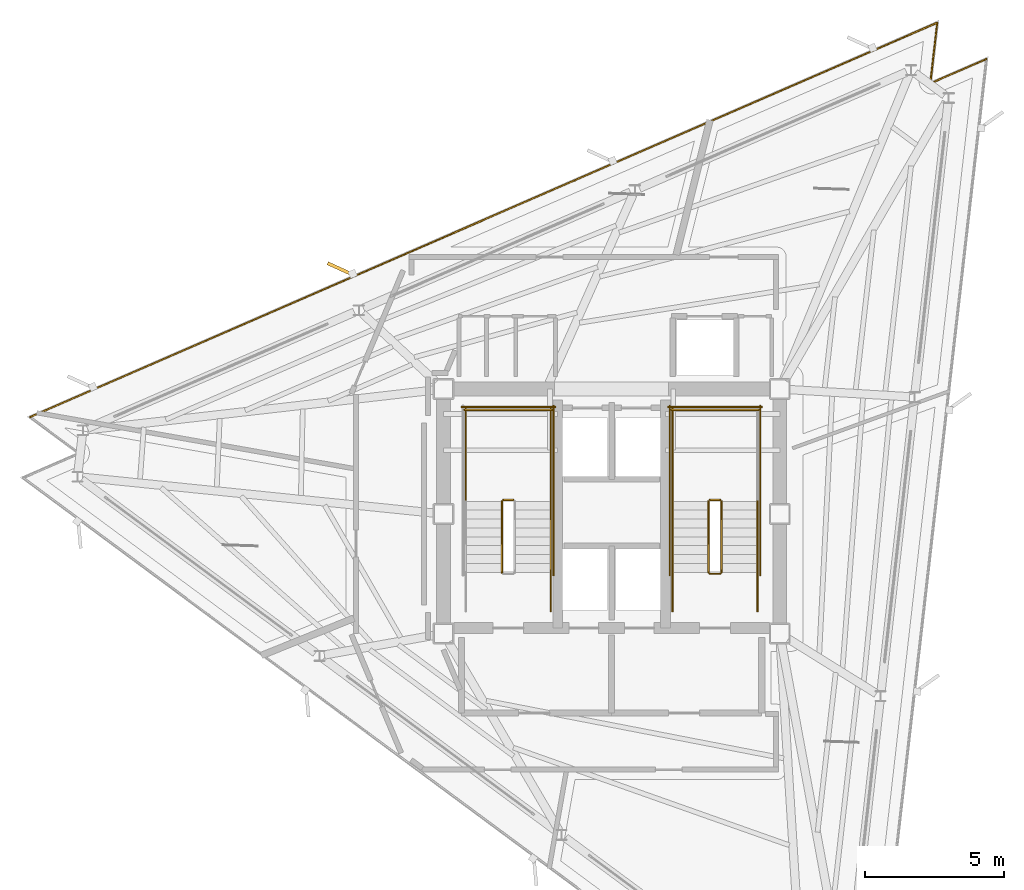
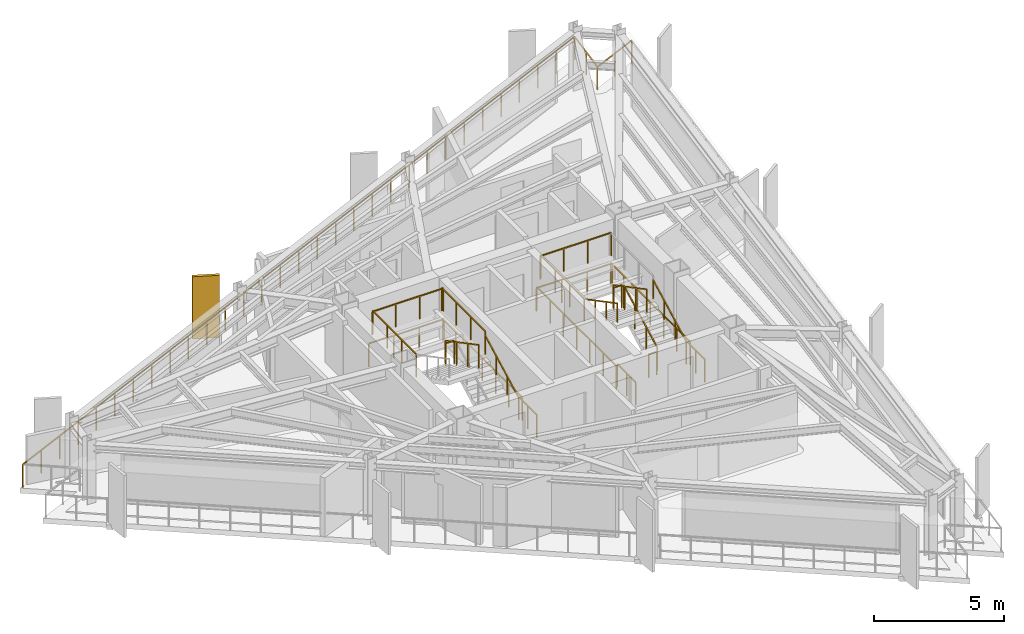
# One storey, part 9 of 10: 23 railings, 1 shading device.
"""IFC4 building model written with IfcOpenShell, lengths in metres."""

from ifc_helpers import new_model, si_unit, direction, frame, origin, origin_2d, place, context, subcontext, project, spatial, rectangle, extrude, material, layer, layer_set, type_object, element, save


model = new_model("IFC4")

# Units and contexts
model_context = context("Model", 3, precision=1e-05, world=origin(), true_north=direction((0.0, 1.0)))
body_context = subcontext(model_context, "Body", "Model", "MODEL_VIEW")
ifc_project = project(units=[si_unit("LENGTHUNIT", "METRE"), si_unit("AREAUNIT", "SQUARE_METRE"), si_unit("VOLUMEUNIT", "CUBIC_METRE"), si_unit("PLANEANGLEUNIT", "RADIAN"), si_unit("MASSUNIT", "GRAM", prefix="KILO")], contexts=[model_context])

# Site, building, storey
site_placement = place(None, origin())
site = spatial("IfcSite", under=ifc_project, at=site_placement, CompositionType="ELEMENT")
building_placement = place(site_placement, origin())
building = spatial("IfcBuilding", under=site, at=building_placement, Name="Rocaltana Carrier Exchange", CompositionType="ELEMENT")
storey_placement = place(building_placement, frame((0.0, 0.0, 217.919921875)))
storey = spatial("IfcBuildingStorey", under=building, at=storey_placement, Name="L69", CompositionType="ELEMENT", Elevation=217.919921875)

# Railings
ifc_material_1 = material(Name="Brushed Architectural Stainless Tube", Category="steel")
ifc_layer_1 = layer(ifc_material_1, 0.048095703125)
ifc_layer_set_1 = layer_set([ifc_layer_1], Name="Brushed Architectural Stainless Tube")
railing_type_1 = type_object("IfcRailingType", Name="Stair Wall Handrail 920", PredefinedType="HANDRAIL", material=ifc_layer_set_1)
for number, where, name in (
    (1, (-2.18994140625, -2.10009765625, 0.1689453125), "L69 ST-1 stair handrail 1"),
    (2, (5.25, -2.10009765625, 0.1689453125), "L69 ST-2 stair handrail 1"),
):
    element("IfcRailing", number, at=place(storey_placement, frame(where)), inside=storey, type_object=railing_type_1, Name=name, PredefinedType="HANDRAIL", context=body_context, shape_type="SweptSolid", body=[
        extrude(rectangle(XDim=0.048095703125, YDim=0.048095703125, at=origin_2d()), frame((0.0, 0.0, 0.8759765625), z_axis=(0.0, 0.884394423565, 0.466740295633), x_axis=(-1.0, 0.0, 0.0)), (0.0, 0.0, 1.0), 2.894775390625),
        extrude(rectangle(XDim=0.0419921875, YDim=0.0419921875, at=origin_2d()), origin(), (0.0, 0.0, 1.0), 0.851806640625),
        extrude(rectangle(XDim=0.0419921875, YDim=0.0419921875, at=origin_2d()), frame((0.0, 0.853271484375, 0.450439453125)), (0.0, 0.0, 1.0), 0.851806640625),
        extrude(rectangle(XDim=0.0419921875, YDim=0.0419921875, at=origin_2d()), frame((0.0, 1.706787109375, 0.900634765625)), (0.0, 0.0, 1.0), 0.851806640625),
        extrude(rectangle(XDim=0.0419921875, YDim=0.0419921875, at=origin_2d()), frame((0.0, 2.56005859375, 1.35107421875)), (0.0, 0.0, 1.0), 0.851806640625),
    ])
railing_1_placement = place(storey_placement, frame((2.18994140625, 0.4599609375, 1.68896484375)))
element("IfcRailing", 3, at=railing_1_placement, inside=storey, type_object=railing_type_1, Name="L69 ST-2 stair handrail 2", PredefinedType="HANDRAIL", context=body_context, shape_type="SweptSolid", body=[
    extrude(rectangle(XDim=0.048095703125, YDim=0.048095703125, at=origin_2d()), frame((0.0, 0.0, 0.8759765625), z_axis=(0.0, -0.884394423565, 0.466740295633), x_axis=(1.0, 0.0, 0.0)), (0.0, 0.0, 1.0), 2.894775390625),
    extrude(rectangle(XDim=0.0419921875, YDim=0.0419921875, at=origin_2d()), origin(), (0.0, 0.0, 1.0), 0.851806640625),
    extrude(rectangle(XDim=0.0419921875, YDim=0.0419921875, at=origin_2d()), frame((0.0, -0.853271484375, 0.450439453125)), (0.0, 0.0, 1.0), 0.851806640625),
    extrude(rectangle(XDim=0.0419921875, YDim=0.0419921875, at=origin_2d()), frame((0.0, -1.706787109375, 0.900634765625)), (0.0, 0.0, 1.0), 0.851806640625),
    extrude(rectangle(XDim=0.0419921875, YDim=0.0419921875, at=origin_2d()), frame((0.0, -2.56005859375, 1.35107421875)), (0.0, 0.0, 1.0), 0.851806640625),
])
ifc_material_2 = material(Name="Powder-Coated Aluminium 6063-T6", Category="aluminium")
ifc_layer_2 = layer(ifc_material_2, 0.048095703125)
ifc_layer_set_2 = layer_set([ifc_layer_2], Name="Powder-Coated Aluminium 6063-T6")
railing_type_2 = type_object("IfcRailingType", Name="Stair Well Guardrail 1100", PredefinedType="GUARDRAIL", material=ifc_layer_set_2)
railing_2_placement = place(storey_placement, frame((-3.5400390625, 0.510009765625, 1.52001953125)))
element("IfcRailing", 4, at=railing_2_placement, inside=storey, type_object=railing_type_2, Name="L69 ST-1 stair guard 2", PredefinedType="GUARDRAIL", context=body_context, shape_type="SweptSolid", body=[
    extrude(rectangle(XDim=0.048095703125, YDim=0.048095703125, at=origin_2d()), frame((0.0, 0.0, 1.076171875), z_axis=(-1.0, 0.0, 0.0), x_axis=(0.0, -1.0, 0.0)), (0.0, 0.0, 1.0), 0.35986328125),
    extrude(rectangle(XDim=0.0419921875, YDim=0.0419921875, at=origin_2d()), origin(), (0.0, 0.0, 1.0), 1.052001953125),
    extrude(rectangle(XDim=0.0419921875, YDim=0.0419921875, at=origin_2d()), frame((-0.35986328125, 0.0, 0.0)), (0.0, 0.0, 1.0), 1.052001953125),
])
for number, where, name in (
    (5, (-2.18994140625, 0.4599609375, 1.52001953125), "L69 ST-1 stair guard 3"),
    (6, (-5.25, 0.4599609375, 1.52001953125), "L69 ST-1 stair guard 4"),
):
    element("IfcRailing", number, at=place(storey_placement, frame(where)), inside=storey, type_object=railing_type_2, Name=name, PredefinedType="GUARDRAIL", context=body_context, shape_type="SweptSolid", body=[
        extrude(rectangle(XDim=0.048095703125, YDim=0.048095703125, at=origin_2d()), frame((0.0, 0.0, 1.076171875), z_axis=(0.0, 1.0, 0.0), x_axis=(-1.0, 0.0, 0.0)), (0.0, 0.0, 1.0), 3.340087890625),
        extrude(rectangle(XDim=0.0419921875, YDim=0.0419921875, at=origin_2d()), origin(), (0.0, 0.0, 1.0), 1.052001953125),
        extrude(rectangle(XDim=0.0419921875, YDim=0.0419921875, at=origin_2d()), frame((0.0, 1.11328125, 0.0)), (0.0, 0.0, 1.0), 1.052001953125),
        extrude(rectangle(XDim=0.0419921875, YDim=0.0419921875, at=origin_2d()), frame((0.0, 2.226806640625, 0.0)), (0.0, 0.0, 1.0), 1.052001953125),
        extrude(rectangle(XDim=0.0419921875, YDim=0.0419921875, at=origin_2d()), frame((0.0, 3.340087890625, 0.0)), (0.0, 0.0, 1.0), 1.052001953125),
    ])
railing_3_placement = place(storey_placement, frame((-2.139892578125, 3.75, 1.52001953125)))
element("IfcRailing", 7, at=railing_3_placement, inside=storey, type_object=railing_type_2, Name="L69 ST-1 stair guard 5", PredefinedType="GUARDRAIL", context=body_context, shape_type="SweptSolid", body=[
    extrude(rectangle(XDim=0.048095703125, YDim=0.048095703125, at=origin_2d()), frame((0.0, 0.0, 1.076171875), z_axis=(-1.0, 0.0, 0.0), x_axis=(0.0, -1.0, 0.0)), (0.0, 0.0, 1.0), 3.16015625),
    extrude(rectangle(XDim=0.0419921875, YDim=0.0419921875, at=origin_2d()), origin(), (0.0, 0.0, 1.0), 1.052001953125),
    extrude(rectangle(XDim=0.0419921875, YDim=0.0419921875, at=origin_2d()), frame((-1.053466796875, 0.0, 0.0)), (0.0, 0.0, 1.0), 1.052001953125),
    extrude(rectangle(XDim=0.0419921875, YDim=0.0419921875, at=origin_2d()), frame((-2.106689453125, 0.0, 0.0)), (0.0, 0.0, 1.0), 1.052001953125),
    extrude(rectangle(XDim=0.0419921875, YDim=0.0419921875, at=origin_2d()), frame((-3.16015625, 0.0, 0.0)), (0.0, 0.0, 1.0), 1.052001953125),
])
railing_4_placement = place(storey_placement, frame((-3.949951171875, 0.4599609375, 1.68896484375)))
element("IfcRailing", 8, at=railing_4_placement, inside=storey, type_object=railing_type_2, Name="L69 ST-1 stair guard 6", PredefinedType="GUARDRAIL", context=body_context, shape_type="SweptSolid", body=[
    extrude(rectangle(XDim=0.048095703125, YDim=0.048095703125, at=origin_2d()), frame((0.0, 0.0, 1.076171875), z_axis=(0.0, -0.884394423565, 0.466740295633), x_axis=(1.0, 0.0, 0.0)), (0.0, 0.0, 1.0), 2.894775390625),
    extrude(rectangle(XDim=0.0419921875, YDim=0.0419921875, at=origin_2d()), origin(), (0.0, 0.0, 1.0), 1.052001953125),
    extrude(rectangle(XDim=0.0419921875, YDim=0.0419921875, at=origin_2d()), frame((0.0, -0.853271484375, 0.450439453125)), (0.0, 0.0, 1.0), 1.052001953125),
    extrude(rectangle(XDim=0.0419921875, YDim=0.0419921875, at=origin_2d()), frame((0.0, -1.706787109375, 0.900634765625)), (0.0, 0.0, 1.0), 1.052001953125),
    extrude(rectangle(XDim=0.0419921875, YDim=0.0419921875, at=origin_2d()), frame((0.0, -2.56005859375, 1.35107421875)), (0.0, 0.0, 1.0), 1.052001953125),
])
railing_5_placement = place(storey_placement, frame((-2.18994140625, -3.5, 0.0)))
element("IfcRailing", 9, at=railing_5_placement, inside=storey, type_object=railing_type_2, Name="L69 ST-1 stair guard 8", PredefinedType="GUARDRAIL", context=body_context, shape_type="SweptSolid", body=[
    extrude(rectangle(XDim=0.048095703125, YDim=0.048095703125, at=origin_2d()), frame((0.0, 0.0, 1.076171875), z_axis=(0.0, 1.0, 0.0), x_axis=(-1.0, 0.0, 0.0)), (0.0, 0.0, 1.0), 1.39990234375),
    extrude(rectangle(XDim=0.0419921875, YDim=0.0419921875, at=origin_2d()), origin(), (0.0, 0.0, 1.0), 1.052001953125),
    extrude(rectangle(XDim=0.0419921875, YDim=0.0419921875, at=origin_2d()), frame((0.0, 0.699951171875, 0.0)), (0.0, 0.0, 1.0), 1.052001953125),
    extrude(rectangle(XDim=0.0419921875, YDim=0.0419921875, at=origin_2d()), frame((0.0, 1.39990234375, 0.0)), (0.0, 0.0, 1.0), 1.052001953125),
])
railing_6_placement = place(storey_placement, frame((-2.090087890625, -2.199951171875, 0.0)))
element("IfcRailing", 10, at=railing_6_placement, inside=storey, type_object=railing_type_2, Name="L69 ST-1 stair guard 10", PredefinedType="GUARDRAIL", context=body_context, shape_type="SweptSolid", body=[
    extrude(rectangle(XDim=0.048095703125, YDim=0.048095703125, at=origin_2d()), frame((0.0, 0.0, 1.076171875), z_axis=(0.0, 1.0, 0.0), x_axis=(-1.0, 0.0, 0.0)), (0.0, 0.0, 1.0), 6.099853515625),
    extrude(rectangle(XDim=0.0419921875, YDim=0.0419921875, at=origin_2d()), origin(), (0.0, 0.0, 1.0), 1.052001953125),
    extrude(rectangle(XDim=0.0419921875, YDim=0.0419921875, at=origin_2d()), frame((0.0, 1.0166015625, 0.0)), (0.0, 0.0, 1.0), 1.052001953125),
    extrude(rectangle(XDim=0.0419921875, YDim=0.0419921875, at=origin_2d()), frame((0.0, 2.033203125, 0.0)), (0.0, 0.0, 1.0), 1.052001953125),
    extrude(rectangle(XDim=0.0419921875, YDim=0.0419921875, at=origin_2d()), frame((0.0, 3.0498046875, 0.0)), (0.0, 0.0, 1.0), 1.052001953125),
    extrude(rectangle(XDim=0.0419921875, YDim=0.0419921875, at=origin_2d()), frame((0.0, 4.066650390625, 0.0)), (0.0, 0.0, 1.0), 1.052001953125),
    extrude(rectangle(XDim=0.0419921875, YDim=0.0419921875, at=origin_2d()), frame((0.0, 5.083251953125, 0.0)), (0.0, 0.0, 1.0), 1.052001953125),
    extrude(rectangle(XDim=0.0419921875, YDim=0.0419921875, at=origin_2d()), frame((0.0, 6.099853515625, 0.0)), (0.0, 0.0, 1.0), 1.052001953125),
])
railing_7_placement = place(storey_placement, frame((-2.0400390625, 3.85009765625, 0.0)))
element("IfcRailing", 11, at=railing_7_placement, inside=storey, type_object=railing_type_2, Name="L69 ST-1 stair guard 12", PredefinedType="GUARDRAIL", context=body_context, shape_type="SweptSolid", body=[
    extrude(rectangle(XDim=0.048095703125, YDim=0.048095703125, at=origin_2d()), frame((0.0, 0.0, 1.076171875), z_axis=(-1.0, 0.0, 0.0), x_axis=(0.0, -1.0, 0.0)), (0.0, 0.0, 1.0), 3.35986328125),
    extrude(rectangle(XDim=0.0419921875, YDim=0.0419921875, at=origin_2d()), origin(), (0.0, 0.0, 1.0), 1.052001953125),
    extrude(rectangle(XDim=0.0419921875, YDim=0.0419921875, at=origin_2d()), frame((-1.119873046875, 0.0, 0.0)), (0.0, 0.0, 1.0), 1.052001953125),
    extrude(rectangle(XDim=0.0419921875, YDim=0.0419921875, at=origin_2d()), frame((-2.239990234375, 0.0, 0.0)), (0.0, 0.0, 1.0), 1.052001953125),
    extrude(rectangle(XDim=0.0419921875, YDim=0.0419921875, at=origin_2d()), frame((-3.35986328125, 0.0, 0.0)), (0.0, 0.0, 1.0), 1.052001953125),
])
railing_8_placement = place(storey_placement, frame((3.949951171875, -2.10009765625, 0.1689453125)))
element("IfcRailing", 12, at=railing_8_placement, inside=storey, type_object=railing_type_2, Name="L69 ST-2 stair guard 1", PredefinedType="GUARDRAIL", context=body_context, shape_type="SweptSolid", body=[
    extrude(rectangle(XDim=0.048095703125, YDim=0.048095703125, at=origin_2d()), frame((0.0, 0.0, 1.076171875), z_axis=(0.0, 0.884394423565, 0.466740295633), x_axis=(-1.0, 0.0, 0.0)), (0.0, 0.0, 1.0), 2.894775390625),
    extrude(rectangle(XDim=0.0419921875, YDim=0.0419921875, at=origin_2d()), origin(), (0.0, 0.0, 1.0), 1.052001953125),
    extrude(rectangle(XDim=0.0419921875, YDim=0.0419921875, at=origin_2d()), frame((0.0, 0.853271484375, 0.450439453125)), (0.0, 0.0, 1.0), 1.052001953125),
    extrude(rectangle(XDim=0.0419921875, YDim=0.0419921875, at=origin_2d()), frame((0.0, 1.706787109375, 0.900634765625)), (0.0, 0.0, 1.0), 1.052001953125),
    extrude(rectangle(XDim=0.0419921875, YDim=0.0419921875, at=origin_2d()), frame((0.0, 2.56005859375, 1.35107421875)), (0.0, 0.0, 1.0), 1.052001953125),
])
railing_9_placement = place(storey_placement, frame((3.89990234375, 0.510009765625, 1.52001953125)))
element("IfcRailing", 13, at=railing_9_placement, inside=storey, type_object=railing_type_2, Name="L69 ST-2 stair guard 2", PredefinedType="GUARDRAIL", context=body_context, shape_type="SweptSolid", body=[
    extrude(rectangle(XDim=0.048095703125, YDim=0.048095703125, at=origin_2d()), frame((0.0, 0.0, 1.076171875), z_axis=(-1.0, 0.0, 0.0), x_axis=(0.0, -1.0, 0.0)), (0.0, 0.0, 1.0), 0.35986328125),
    extrude(rectangle(XDim=0.0419921875, YDim=0.0419921875, at=origin_2d()), origin(), (0.0, 0.0, 1.0), 1.052001953125),
    extrude(rectangle(XDim=0.0419921875, YDim=0.0419921875, at=origin_2d()), frame((-0.35986328125, 0.0, 0.0)), (0.0, 0.0, 1.0), 1.052001953125),
])
railing_10_placement = place(storey_placement, frame((2.18994140625, 0.4599609375, 1.52001953125)))
element("IfcRailing", 14, at=railing_10_placement, inside=storey, type_object=railing_type_2, Name="L69 ST-2 stair guard 4", PredefinedType="GUARDRAIL", context=body_context, shape_type="SweptSolid", body=[
    extrude(rectangle(XDim=0.048095703125, YDim=0.048095703125, at=origin_2d()), frame((0.0, 0.0, 1.076171875), z_axis=(0.0, 1.0, 0.0), x_axis=(-1.0, 0.0, 0.0)), (0.0, 0.0, 1.0), 3.340087890625),
    extrude(rectangle(XDim=0.0419921875, YDim=0.0419921875, at=origin_2d()), origin(), (0.0, 0.0, 1.0), 1.052001953125),
    extrude(rectangle(XDim=0.0419921875, YDim=0.0419921875, at=origin_2d()), frame((0.0, 1.11328125, 0.0)), (0.0, 0.0, 1.0), 1.052001953125),
    extrude(rectangle(XDim=0.0419921875, YDim=0.0419921875, at=origin_2d()), frame((0.0, 2.226806640625, 0.0)), (0.0, 0.0, 1.0), 1.052001953125),
    extrude(rectangle(XDim=0.0419921875, YDim=0.0419921875, at=origin_2d()), frame((0.0, 3.340087890625, 0.0)), (0.0, 0.0, 1.0), 1.052001953125),
])
railing_11_placement = place(storey_placement, frame((5.300048828125, 3.75, 1.52001953125)))
element("IfcRailing", 15, at=railing_11_placement, inside=storey, type_object=railing_type_2, Name="L69 ST-2 stair guard 5", PredefinedType="GUARDRAIL", context=body_context, shape_type="SweptSolid", body=[
    extrude(rectangle(XDim=0.048095703125, YDim=0.048095703125, at=origin_2d()), frame((0.0, 0.0, 1.076171875), z_axis=(-1.0, 0.0, 0.0), x_axis=(0.0, -1.0, 0.0)), (0.0, 0.0, 1.0), 3.16015625),
    extrude(rectangle(XDim=0.0419921875, YDim=0.0419921875, at=origin_2d()), origin(), (0.0, 0.0, 1.0), 1.052001953125),
    extrude(rectangle(XDim=0.0419921875, YDim=0.0419921875, at=origin_2d()), frame((-1.053466796875, 0.0, 0.0)), (0.0, 0.0, 1.0), 1.052001953125),
    extrude(rectangle(XDim=0.0419921875, YDim=0.0419921875, at=origin_2d()), frame((-2.106689453125, 0.0, 0.0)), (0.0, 0.0, 1.0), 1.052001953125),
    extrude(rectangle(XDim=0.0419921875, YDim=0.0419921875, at=origin_2d()), frame((-3.16015625, 0.0, 0.0)), (0.0, 0.0, 1.0), 1.052001953125),
])
railing_12_placement = place(storey_placement, frame((3.489990234375, 0.4599609375, 1.68896484375)))
element("IfcRailing", 16, at=railing_12_placement, inside=storey, type_object=railing_type_2, Name="L69 ST-2 stair guard 6", PredefinedType="GUARDRAIL", context=body_context, shape_type="SweptSolid", body=[
    extrude(rectangle(XDim=0.048095703125, YDim=0.048095703125, at=origin_2d()), frame((0.0, 0.0, 1.076171875), z_axis=(0.0, -0.884394423565, 0.466740295633), x_axis=(1.0, 0.0, 0.0)), (0.0, 0.0, 1.0), 2.894775390625),
    extrude(rectangle(XDim=0.0419921875, YDim=0.0419921875, at=origin_2d()), origin(), (0.0, 0.0, 1.0), 1.052001953125),
    extrude(rectangle(XDim=0.0419921875, YDim=0.0419921875, at=origin_2d()), frame((0.0, -0.853271484375, 0.450439453125)), (0.0, 0.0, 1.0), 1.052001953125),
    extrude(rectangle(XDim=0.0419921875, YDim=0.0419921875, at=origin_2d()), frame((0.0, -1.706787109375, 0.900634765625)), (0.0, 0.0, 1.0), 1.052001953125),
    extrude(rectangle(XDim=0.0419921875, YDim=0.0419921875, at=origin_2d()), frame((0.0, -2.56005859375, 1.35107421875)), (0.0, 0.0, 1.0), 1.052001953125),
])
railing_13_placement = place(storey_placement, frame((3.89990234375, -2.14990234375, 0.0)))
element("IfcRailing", 17, at=railing_13_placement, inside=storey, type_object=railing_type_2, Name="L69 ST-2 stair guard 7", PredefinedType="GUARDRAIL", context=body_context, shape_type="SweptSolid", body=[
    extrude(rectangle(XDim=0.048095703125, YDim=0.048095703125, at=origin_2d()), frame((0.0, 0.0, 1.076171875), z_axis=(-1.0, 0.0, 0.0), x_axis=(0.0, -1.0, 0.0)), (0.0, 0.0, 1.0), 0.35986328125),
    extrude(rectangle(XDim=0.0419921875, YDim=0.0419921875, at=origin_2d()), origin(), (0.0, 0.0, 1.0), 1.052001953125),
    extrude(rectangle(XDim=0.0419921875, YDim=0.0419921875, at=origin_2d()), frame((-0.35986328125, 0.0, 0.0)), (0.0, 0.0, 1.0), 1.052001953125),
])
for number, where, name in (
    (18, (5.25, -3.5, 0.0), "L69 ST-2 stair guard 8"),
    (19, (2.18994140625, -3.5, 0.0), "L69 ST-2 stair guard 9"),
):
    element("IfcRailing", number, at=place(storey_placement, frame(where)), inside=storey, type_object=railing_type_2, Name=name, PredefinedType="GUARDRAIL", context=body_context, shape_type="SweptSolid", body=[
        extrude(rectangle(XDim=0.048095703125, YDim=0.048095703125, at=origin_2d()), frame((0.0, 0.0, 1.076171875), z_axis=(0.0, 1.0, 0.0), x_axis=(-1.0, 0.0, 0.0)), (0.0, 0.0, 1.0), 1.39990234375),
        extrude(rectangle(XDim=0.0419921875, YDim=0.0419921875, at=origin_2d()), origin(), (0.0, 0.0, 1.0), 1.052001953125),
        extrude(rectangle(XDim=0.0419921875, YDim=0.0419921875, at=origin_2d()), frame((0.0, 0.699951171875, 0.0)), (0.0, 0.0, 1.0), 1.052001953125),
        extrude(rectangle(XDim=0.0419921875, YDim=0.0419921875, at=origin_2d()), frame((0.0, 1.39990234375, 0.0)), (0.0, 0.0, 1.0), 1.052001953125),
    ])
for number, where, name in (
    (20, (5.35009765625, -2.199951171875, 0.0), "L69 ST-2 stair guard 10"),
    (21, (2.090087890625, -2.199951171875, 0.0), "L69 ST-2 stair guard 11"),
):
    element("IfcRailing", number, at=place(storey_placement, frame(where)), inside=storey, type_object=railing_type_2, Name=name, PredefinedType="GUARDRAIL", context=body_context, shape_type="SweptSolid", body=[
        extrude(rectangle(XDim=0.048095703125, YDim=0.048095703125, at=origin_2d()), frame((0.0, 0.0, 1.076171875), z_axis=(0.0, 1.0, 0.0), x_axis=(-1.0, 0.0, 0.0)), (0.0, 0.0, 1.0), 6.099853515625),
        extrude(rectangle(XDim=0.0419921875, YDim=0.0419921875, at=origin_2d()), origin(), (0.0, 0.0, 1.0), 1.052001953125),
        extrude(rectangle(XDim=0.0419921875, YDim=0.0419921875, at=origin_2d()), frame((0.0, 1.0166015625, 0.0)), (0.0, 0.0, 1.0), 1.052001953125),
        extrude(rectangle(XDim=0.0419921875, YDim=0.0419921875, at=origin_2d()), frame((0.0, 2.033203125, 0.0)), (0.0, 0.0, 1.0), 1.052001953125),
        extrude(rectangle(XDim=0.0419921875, YDim=0.0419921875, at=origin_2d()), frame((0.0, 3.0498046875, 0.0)), (0.0, 0.0, 1.0), 1.052001953125),
        extrude(rectangle(XDim=0.0419921875, YDim=0.0419921875, at=origin_2d()), frame((0.0, 4.066650390625, 0.0)), (0.0, 0.0, 1.0), 1.052001953125),
        extrude(rectangle(XDim=0.0419921875, YDim=0.0419921875, at=origin_2d()), frame((0.0, 5.083251953125, 0.0)), (0.0, 0.0, 1.0), 1.052001953125),
        extrude(rectangle(XDim=0.0419921875, YDim=0.0419921875, at=origin_2d()), frame((0.0, 6.099853515625, 0.0)), (0.0, 0.0, 1.0), 1.052001953125),
    ])
railing_14_placement = place(storey_placement, frame((5.39990234375, 3.85009765625, 0.0)))
element("IfcRailing", 22, at=railing_14_placement, inside=storey, type_object=railing_type_2, Name="L69 ST-2 stair guard 12", PredefinedType="GUARDRAIL", context=body_context, shape_type="SweptSolid", body=[
    extrude(rectangle(XDim=0.048095703125, YDim=0.048095703125, at=origin_2d()), frame((0.0, 0.0, 1.076171875), z_axis=(-1.0, 0.0, 0.0), x_axis=(0.0, -1.0, 0.0)), (0.0, 0.0, 1.0), 3.35986328125),
    extrude(rectangle(XDim=0.0419921875, YDim=0.0419921875, at=origin_2d()), origin(), (0.0, 0.0, 1.0), 1.052001953125),
    extrude(rectangle(XDim=0.0419921875, YDim=0.0419921875, at=origin_2d()), frame((-1.119873046875, 0.0, 0.0)), (0.0, 0.0, 1.0), 1.052001953125),
    extrude(rectangle(XDim=0.0419921875, YDim=0.0419921875, at=origin_2d()), frame((-2.239990234375, 0.0, 0.0)), (0.0, 0.0, 1.0), 1.052001953125),
    extrude(rectangle(XDim=0.0419921875, YDim=0.0419921875, at=origin_2d()), frame((-3.35986328125, 0.0, 0.0)), (0.0, 0.0, 1.0), 1.052001953125),
])

# Shading device
ifc_material_3 = material(Name="Honed Bogota Sandstone & Concrete C45/55", Category="masonry")
ifc_layer_3 = layer(ifc_material_3, 0.1201171875)
ifc_layer_set_3 = layer_set([ifc_layer_3], Name="Honed Bogota Sandstone & Concrete C45/55")
shading_device_type = type_object("IfcShadingDeviceType", Name="Upper Sandstone Shading Fin 1050x120", PredefinedType="USERDEFINED", material=ifc_layer_set_3)
shading_device_placement = place(storey_placement, frame((-9.74560546875, 8.809814453125, -0.119873046875), z_axis=(0.0, 0.0, 1.0), x_axis=(-0.909961270877, 0.414693242656, 0.0)))
element("IfcShadingDevice", 23, at=shading_device_placement, inside=storey, type_object=shading_device_type, Name="L69 Sandstone Vertical Fin F2-03", ObjectType="FIN", PredefinedType="USERDEFINED", context=body_context, shape_type="SweptSolid", body=[
    extrude(rectangle(XDim=1.050048828125, YDim=0.1201171875, at=origin_2d()), origin(), (0.0, 0.0, 1.0), 2.91796875),
])

# Railing
ifc_material_4 = material(Name="Powder-Coated Aluminium 6063-T6", Category="aluminium")
ifc_layer_4 = layer(ifc_material_4, 0.06005859375)
ifc_layer_set_4 = layer_set([ifc_layer_4], Name="Powder-Coated Aluminium 6063-T6")
railing_type_3 = type_object("IfcRailingType", Name="Wind-Floor & Terrace Perimeter Guardrail 1100", PredefinedType="GUARDRAIL", material=ifc_layer_set_4)
railing_15_placement = place(storey_placement, frame((-20.923583984375, 3.490966796875, 0.0)))
element("IfcRailing", 24, at=railing_15_placement, inside=storey, type_object=railing_type_3, Name="L69 Perimeter Balcony Guardrail 2", PredefinedType="GUARDRAIL", context=body_context, shape_type="SweptSolid", body=[
    extrude(rectangle(XDim=0.048095703125, YDim=0.048095703125, at=origin_2d()), frame((0.0, 0.0, 1.076171875), z_axis=(0.917059586912, 0.398750190034, 0.0), x_axis=(-0.398750190034, 0.917059586912, 0.0)), (0.0, 0.0, 1.0), 35.59228515625),
    extrude(rectangle(XDim=0.048095703125, YDim=0.048095703125, at=origin_2d()), frame((32.64013671875, 14.1923828125, 1.076171875), z_axis=(-0.113196037832, -0.993572673245, 0.0), x_axis=(0.993572673245, -0.113196037832, 0.0)), (0.0, 0.0, 1.0), 2.199951171875),
    extrude(rectangle(XDim=0.048095703125, YDim=0.048095703125, at=origin_2d()), frame((32.39111328125, 12.006591796875, 1.076171875), z_axis=(0.917071820503, 0.398722053614, 0.0), x_axis=(-0.398722053614, 0.917071820503, 0.0)), (0.0, 0.0, 1.0), 2.199951171875),
    extrude(rectangle(XDim=0.0419921875, YDim=0.0419921875, at=origin_2d()), origin(), (0.0, 0.0, 1.0), 1.052001953125),
    extrude(rectangle(XDim=0.0419921875, YDim=0.0419921875, at=origin_2d()), frame((1.087890625, 0.47314453125, 0.0)), (0.0, 0.0, 1.0), 1.052001953125),
    extrude(rectangle(XDim=0.0419921875, YDim=0.0419921875, at=origin_2d()), frame((2.176025390625, 0.946044921875, 0.0)), (0.0, 0.0, 1.0), 1.052001953125),
    extrude(rectangle(XDim=0.0419921875, YDim=0.0419921875, at=origin_2d()), frame((3.263916015625, 1.419189453125, 0.0)), (0.0, 0.0, 1.0), 1.052001953125),
    extrude(rectangle(XDim=0.0419921875, YDim=0.0419921875, at=origin_2d()), frame((4.35205078125, 1.892333984375, 0.0)), (0.0, 0.0, 1.0), 1.052001953125),
    extrude(rectangle(XDim=0.0419921875, YDim=0.0419921875, at=origin_2d()), frame((5.43994140625, 2.365478515625, 0.0)), (0.0, 0.0, 1.0), 1.052001953125),
    extrude(rectangle(XDim=0.0419921875, YDim=0.0419921875, at=origin_2d()), frame((6.528076171875, 2.83837890625, 0.0)), (0.0, 0.0, 1.0), 1.052001953125),
    extrude(rectangle(XDim=0.0419921875, YDim=0.0419921875, at=origin_2d()), frame((7.615966796875, 3.3115234375, 0.0)), (0.0, 0.0, 1.0), 1.052001953125),
    extrude(rectangle(XDim=0.0419921875, YDim=0.0419921875, at=origin_2d()), frame((8.7041015625, 3.78466796875, 0.0)), (0.0, 0.0, 1.0), 1.052001953125),
    extrude(rectangle(XDim=0.0419921875, YDim=0.0419921875, at=origin_2d()), frame((9.7919921875, 4.2578125, 0.0)), (0.0, 0.0, 1.0), 1.052001953125),
    extrude(rectangle(XDim=0.0419921875, YDim=0.0419921875, at=origin_2d()), frame((10.880126953125, 4.730712890625, 0.0)), (0.0, 0.0, 1.0), 1.052001953125),
    extrude(rectangle(XDim=0.0419921875, YDim=0.0419921875, at=origin_2d()), frame((11.968017578125, 5.203857421875, 0.0)), (0.0, 0.0, 1.0), 1.052001953125),
    extrude(rectangle(XDim=0.0419921875, YDim=0.0419921875, at=origin_2d()), frame((13.05615234375, 5.677001953125, 0.0)), (0.0, 0.0, 1.0), 1.052001953125),
    extrude(rectangle(XDim=0.0419921875, YDim=0.0419921875, at=origin_2d()), frame((14.14404296875, 6.150146484375, 0.0)), (0.0, 0.0, 1.0), 1.052001953125),
    extrude(rectangle(XDim=0.0419921875, YDim=0.0419921875, at=origin_2d()), frame((15.232177734375, 6.623046875, 0.0)), (0.0, 0.0, 1.0), 1.052001953125),
    extrude(rectangle(XDim=0.0419921875, YDim=0.0419921875, at=origin_2d()), frame((16.320068359375, 7.09619140625, 0.0)), (0.0, 0.0, 1.0), 1.052001953125),
    extrude(rectangle(XDim=0.0419921875, YDim=0.0419921875, at=origin_2d()), frame((17.407958984375, 7.5693359375, 0.0)), (0.0, 0.0, 1.0), 1.052001953125),
    extrude(rectangle(XDim=0.0419921875, YDim=0.0419921875, at=origin_2d()), frame((18.49609375, 8.042236328125, 0.0)), (0.0, 0.0, 1.0), 1.052001953125),
    extrude(rectangle(XDim=0.0419921875, YDim=0.0419921875, at=origin_2d()), frame((19.583984375, 8.515380859375, 0.0)), (0.0, 0.0, 1.0), 1.052001953125),
    extrude(rectangle(XDim=0.0419921875, YDim=0.0419921875, at=origin_2d()), frame((20.672119140625, 8.988525390625, 0.0)), (0.0, 0.0, 1.0), 1.052001953125),
    extrude(rectangle(XDim=0.0419921875, YDim=0.0419921875, at=origin_2d()), frame((21.760009765625, 9.461669921875, 0.0)), (0.0, 0.0, 1.0), 1.052001953125),
    extrude(rectangle(XDim=0.0419921875, YDim=0.0419921875, at=origin_2d()), frame((22.84814453125, 9.9345703125, 0.0)), (0.0, 0.0, 1.0), 1.052001953125),
    extrude(rectangle(XDim=0.0419921875, YDim=0.0419921875, at=origin_2d()), frame((23.93603515625, 10.40771484375, 0.0)), (0.0, 0.0, 1.0), 1.052001953125),
    extrude(rectangle(XDim=0.0419921875, YDim=0.0419921875, at=origin_2d()), frame((25.024169921875, 10.880859375, 0.0)), (0.0, 0.0, 1.0), 1.052001953125),
    extrude(rectangle(XDim=0.0419921875, YDim=0.0419921875, at=origin_2d()), frame((26.112060546875, 11.35400390625, 0.0)), (0.0, 0.0, 1.0), 1.052001953125),
    extrude(rectangle(XDim=0.0419921875, YDim=0.0419921875, at=origin_2d()), frame((27.2001953125, 11.826904296875, 0.0)), (0.0, 0.0, 1.0), 1.052001953125),
    extrude(rectangle(XDim=0.0419921875, YDim=0.0419921875, at=origin_2d()), frame((28.2880859375, 12.300048828125, 0.0)), (0.0, 0.0, 1.0), 1.052001953125),
    extrude(rectangle(XDim=0.0419921875, YDim=0.0419921875, at=origin_2d()), frame((29.376220703125, 12.773193359375, 0.0)), (0.0, 0.0, 1.0), 1.052001953125),
    extrude(rectangle(XDim=0.0419921875, YDim=0.0419921875, at=origin_2d()), frame((30.464111328125, 13.246337890625, 0.0)), (0.0, 0.0, 1.0), 1.052001953125),
    extrude(rectangle(XDim=0.0419921875, YDim=0.0419921875, at=origin_2d()), frame((31.55224609375, 13.71923828125, 0.0)), (0.0, 0.0, 1.0), 1.052001953125),
    extrude(rectangle(XDim=0.0419921875, YDim=0.0419921875, at=origin_2d()), frame((32.64013671875, 14.1923828125, 0.0)), (0.0, 0.0, 1.0), 1.052001953125),
    extrude(rectangle(XDim=0.0419921875, YDim=0.0419921875, at=origin_2d()), frame((32.515625, 13.099609375, 0.0)), (0.0, 0.0, 1.0), 1.052001953125),
    extrude(rectangle(XDim=0.0419921875, YDim=0.0419921875, at=origin_2d()), frame((32.39111328125, 12.006591796875, 0.0)), (0.0, 0.0, 1.0), 1.052001953125),
    extrude(rectangle(XDim=0.0419921875, YDim=0.0419921875, at=origin_2d()), frame((33.39990234375, 12.4453125, 0.0)), (0.0, 0.0, 1.0), 1.052001953125),
    extrude(rectangle(XDim=0.0419921875, YDim=0.0419921875, at=origin_2d()), frame((34.40869140625, 12.8837890625, 0.0)), (0.0, 0.0, 1.0), 1.052001953125),
])

save(model, "model.ifc")
